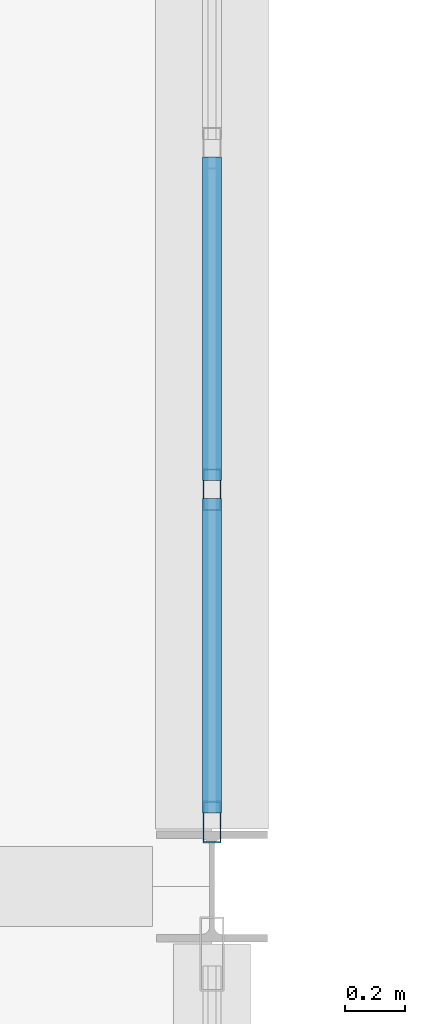
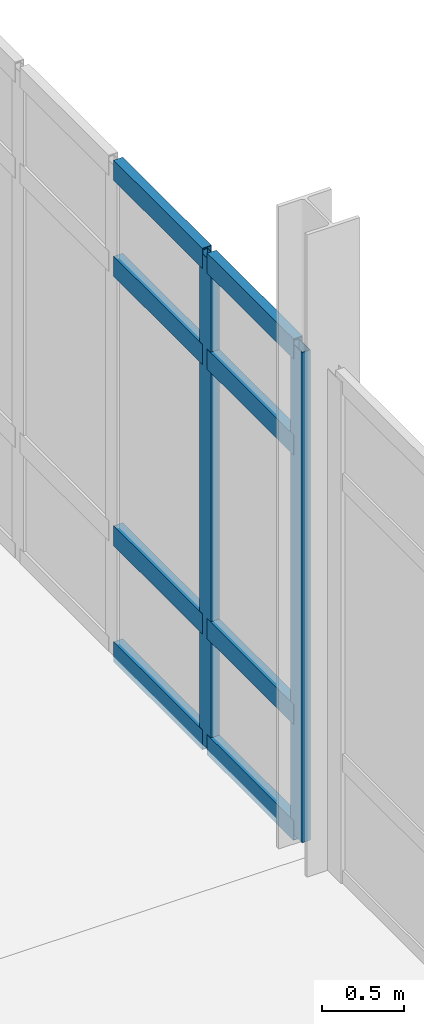
# One storey, part 52 of 186: 10 members, 1 element without a shape of its own.
"""IFC4 building model written with IfcOpenShell, lengths in metres."""

from ifc_helpers import new_model, si_unit, direction, frame, origin, origin_2d, place, context, subcontext, project, spatial, hollow_rectangle, extrude, material, layer, layer_set, material_profile, profile_set, type_object, element, aggregate, save


model = new_model("IFC4")

# Units and contexts
model_context = context("Model", 3, precision=1e-05, world=origin(), true_north=direction((0.0, 1.0)))
body_context = subcontext(model_context, "Body", "Model", "MODEL_VIEW")
ifc_project = project(units=[si_unit("LENGTHUNIT", "METRE"), si_unit("AREAUNIT", "SQUARE_METRE"), si_unit("VOLUMEUNIT", "CUBIC_METRE"), si_unit("PLANEANGLEUNIT", "RADIAN"), si_unit("MASSUNIT", "GRAM", prefix="KILO")], contexts=[model_context])

# Site, building, storey
site_placement = place(None, origin())
site = spatial("IfcSite", under=ifc_project, at=site_placement, CompositionType="ELEMENT")
building_placement = place(site_placement, origin())
building = spatial("IfcBuilding", under=site, at=building_placement, Name="Calvrana Isthmian Art Gallery", CompositionType="ELEMENT")
storey_placement = place(building_placement, frame((0.0, 0.0, 5.39990234375)))
storey = spatial("IfcBuildingStorey", under=building, at=storey_placement, Name="L01", CompositionType="ELEMENT", Elevation=5.39990234375)

# Curtain wall, members
ifc_material = material(Name="Anodized bronze aluminium 6063-T6", Category="aluminium")
ifc_layer = layer(ifc_material, 0.179931640625, Name="Anodized bronze aluminium 6063-T6")
ifc_layer_set = layer_set([ifc_layer], Name="Anodized bronze aluminium 6063-T6")
curtain_wall_type = type_object("IfcCurtainWallType", Name="CW-STICK-080X37", PredefinedType="NOTDEFINED", material=ifc_layer_set)
curtain_wall_placement = place(storey_placement, origin())
curtain_wall = element("IfcCurtainWall", 1, at=curtain_wall_placement, inside=storey, type_object=curtain_wall_type, Name="Curtain wall CW-132", PredefinedType="NOTDEFINED")
ifc_material_profile_1 = material_profile(ifc_material, hollow_rectangle(XDim=0.06005859375, YDim=0.139892578125, WallThickness=0.00390625, at=origin_2d()), Name="CWM60X140")
ifc_profile_set_1 = profile_set([ifc_material_profile_1], Name="Anodized bronze aluminium 6063-T6")
member_type_1 = type_object("IfcMemberType", Name="CWM-CWM60X140", PredefinedType="MULLION", material=ifc_profile_set_1)
member_1_placement = place(storey_placement, frame((80.39990234375, 31.3330078125, 0.0), z_axis=(0.0, 0.0, 1.0), x_axis=(1.0, 0.0, 0.0)))
member_1 = element("IfcMember", 2, at=member_1_placement, type_object=member_type_1, Name="CW-132 mullion 7", PredefinedType="MULLION", context=body_context, shape_type="SweptSolid", body=[
    extrude(hollow_rectangle(XDim=0.06005859375, YDim=0.139892578125, WallThickness=0.00390625, at=origin_2d()), origin(), (0.0, 0.0, 1.0), 3.6640625),
])
member_2_placement = place(storey_placement, frame((80.39990234375, 30.216552734375, 0.0), z_axis=(0.0, 0.0, 1.0), x_axis=(1.0, 0.0, 0.0)))
member_2 = element("IfcMember", 3, at=member_2_placement, type_object=member_type_1, Name="CW-132 mullion 8", PredefinedType="MULLION", context=body_context, shape_type="SweptSolid", body=[
    extrude(hollow_rectangle(XDim=0.06005859375, YDim=0.139892578125, WallThickness=0.00390625, at=origin_2d()), origin(), (0.0, 0.0, 1.0), 3.6640625),
])
ifc_material_profile_2 = material_profile(ifc_material, hollow_rectangle(XDim=0.06494140625, YDim=0.14990234375, WallThickness=0.00390625, at=origin_2d()), Name="CWT65X150")
ifc_profile_set_2 = profile_set([ifc_material_profile_2], Name="Anodized bronze aluminium 6063-T6")
member_type_2 = type_object("IfcMemberType", Name="CWT-CWT65X150", PredefinedType="USERDEFINED", material=ifc_profile_set_2)
member_3_placement = place(storey_placement, frame((80.39990234375, 32.449462890625, 0.03271484375), z_axis=(0.0, -1.0, 0.0), x_axis=(1.0, 0.0, 0.0)))
member_3 = element("IfcMember", 4, at=member_3_placement, type_object=member_type_2, Name="CW-132 transom 6.1", ObjectType="TRANSOM", PredefinedType="USERDEFINED", context=body_context, shape_type="SweptSolid", body=[
    extrude(hollow_rectangle(XDim=0.06494140625, YDim=0.14990234375, WallThickness=0.00390625, at=origin_2d()), origin(), (0.0, 0.0, 1.0), 1.08642578125),
])
member_4_placement = place(storey_placement, frame((80.39990234375, 32.449462890625, 0.900146484375), z_axis=(0.0, -1.0, 0.0), x_axis=(1.0, 0.0, 0.0)))
member_4 = element("IfcMember", 5, at=member_4_placement, type_object=member_type_2, Name="CW-132 transom 6.2", ObjectType="TRANSOM", PredefinedType="USERDEFINED", context=body_context, shape_type="SweptSolid", body=[
    extrude(hollow_rectangle(XDim=0.06494140625, YDim=0.14990234375, WallThickness=0.00390625, at=origin_2d()), origin(), (0.0, 0.0, 1.0), 1.08642578125),
])
member_5_placement = place(storey_placement, frame((80.39990234375, 32.449462890625, 2.9140625), z_axis=(0.0, -1.0, 0.0), x_axis=(1.0, 0.0, 0.0)))
member_5 = element("IfcMember", 6, at=member_5_placement, type_object=member_type_2, Name="CW-132 transom 6.3", ObjectType="TRANSOM", PredefinedType="USERDEFINED", context=body_context, shape_type="SweptSolid", body=[
    extrude(hollow_rectangle(XDim=0.06494140625, YDim=0.14990234375, WallThickness=0.00390625, at=origin_2d()), origin(), (0.0, 0.0, 1.0), 1.08642578125),
])
member_6_placement = place(storey_placement, frame((80.39990234375, 32.449462890625, 3.631591796875), z_axis=(0.0, -1.0, 0.0), x_axis=(1.0, 0.0, 0.0)))
member_6 = element("IfcMember", 7, at=member_6_placement, type_object=member_type_2, Name="CW-132 transom 6.4", ObjectType="TRANSOM", PredefinedType="USERDEFINED", context=body_context, shape_type="SweptSolid", body=[
    extrude(hollow_rectangle(XDim=0.06494140625, YDim=0.14990234375, WallThickness=0.00390625, at=origin_2d()), origin(), (0.0, 0.0, 1.0), 1.08642578125),
])
member_7_placement = place(storey_placement, frame((80.39990234375, 31.302978515625, 0.03271484375), z_axis=(0.0, -1.0, 0.0), x_axis=(1.0, 0.0, 0.0)))
member_7 = element("IfcMember", 8, at=member_7_placement, type_object=member_type_2, Name="CW-132 transom 7.1", ObjectType="TRANSOM", PredefinedType="USERDEFINED", context=body_context, shape_type="SweptSolid", body=[
    extrude(hollow_rectangle(XDim=0.06494140625, YDim=0.14990234375, WallThickness=0.00390625, at=origin_2d()), origin(), (0.0, 0.0, 1.0), 1.056396484375),
])
member_8_placement = place(storey_placement, frame((80.39990234375, 31.302978515625, 0.900146484375), z_axis=(0.0, -1.0, 0.0), x_axis=(1.0, 0.0, 0.0)))
member_8 = element("IfcMember", 9, at=member_8_placement, type_object=member_type_2, Name="CW-132 transom 7.2", ObjectType="TRANSOM", PredefinedType="USERDEFINED", context=body_context, shape_type="SweptSolid", body=[
    extrude(hollow_rectangle(XDim=0.06494140625, YDim=0.14990234375, WallThickness=0.00390625, at=origin_2d()), origin(), (0.0, 0.0, 1.0), 1.056396484375),
])
member_9_placement = place(storey_placement, frame((80.39990234375, 31.302978515625, 2.9140625), z_axis=(0.0, -1.0, 0.0), x_axis=(1.0, 0.0, 0.0)))
member_9 = element("IfcMember", 10, at=member_9_placement, type_object=member_type_2, Name="CW-132 transom 7.3", ObjectType="TRANSOM", PredefinedType="USERDEFINED", context=body_context, shape_type="SweptSolid", body=[
    extrude(hollow_rectangle(XDim=0.06494140625, YDim=0.14990234375, WallThickness=0.00390625, at=origin_2d()), origin(), (0.0, 0.0, 1.0), 1.056396484375),
])
member_10_placement = place(storey_placement, frame((80.39990234375, 31.302978515625, 3.631591796875), z_axis=(0.0, -1.0, 0.0), x_axis=(1.0, 0.0, 0.0)))
member_10 = element("IfcMember", 11, at=member_10_placement, type_object=member_type_2, Name="CW-132 transom 7.4", ObjectType="TRANSOM", PredefinedType="USERDEFINED", context=body_context, shape_type="SweptSolid", body=[
    extrude(hollow_rectangle(XDim=0.06494140625, YDim=0.14990234375, WallThickness=0.00390625, at=origin_2d()), origin(), (0.0, 0.0, 1.0), 1.056396484375),
])
aggregate(curtain_wall, [member_1, member_2, member_3, member_4, member_5, member_6, member_7, member_8, member_9, member_10])

save(model, "model.ifc")
